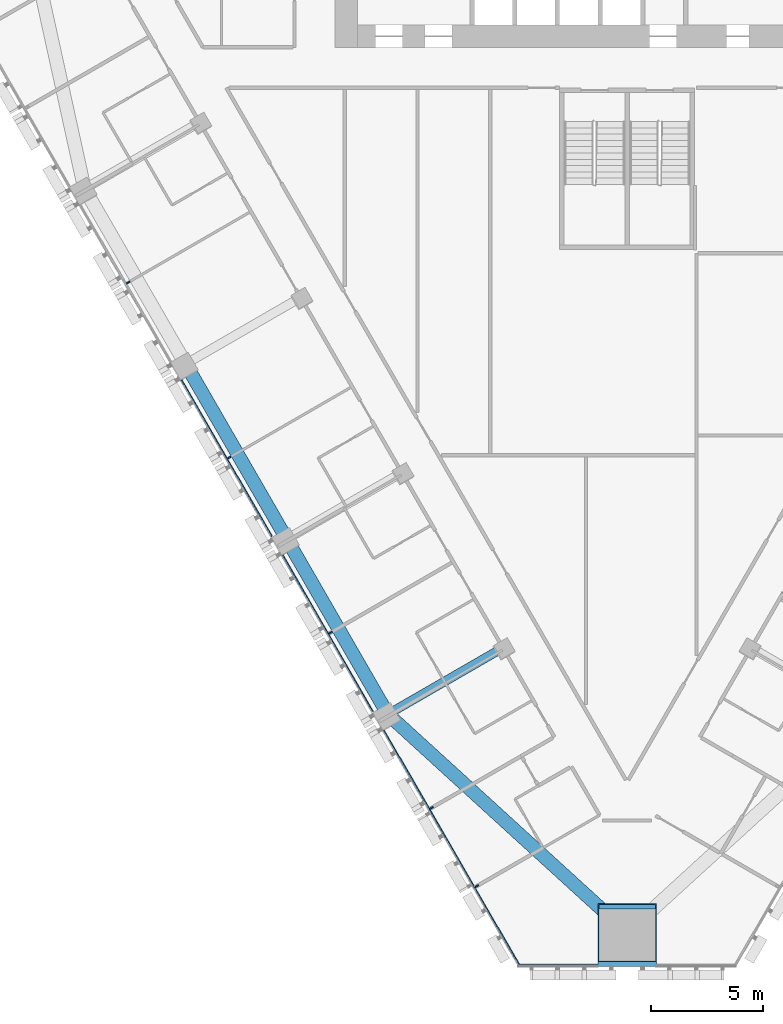
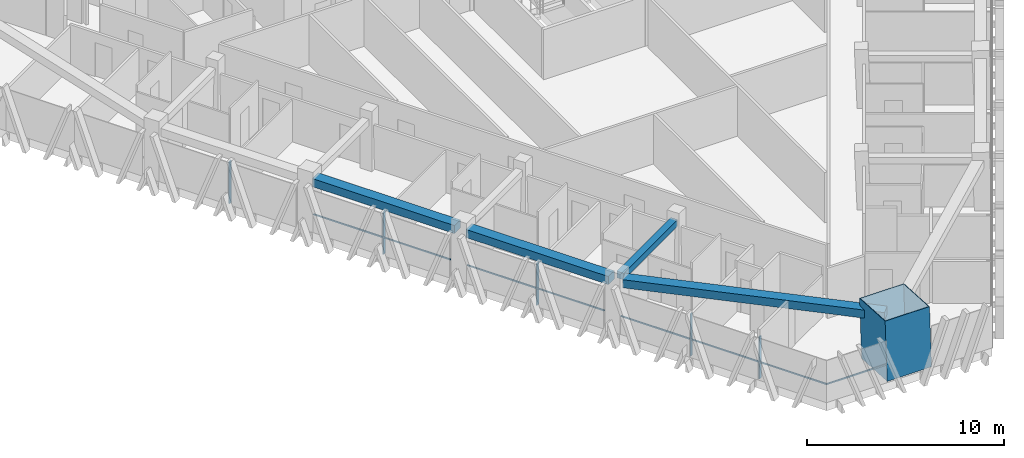
# One storey, part 2 of 18: 10 members, 4 beams, 2 elements without a shape of their own.
"""IFC4 building model written with IfcOpenShell, lengths in metres."""

from ifc_helpers import new_model, si_unit, direction, frame, origin, origin_2d, place, context, subcontext, project, spatial, rectangle, hollow_rectangle, extrude, material, layer, layer_set, material_profile, profile_set, type_object, element, aggregate, save


model = new_model("IFC4")

# Units and contexts
model_context = context("Model", 3, precision=1e-05, world=origin(), true_north=direction((0.0, 1.0)))
body_context = subcontext(model_context, "Body", "Model", "MODEL_VIEW")
ifc_project = project(units=[si_unit("LENGTHUNIT", "METRE"), si_unit("AREAUNIT", "SQUARE_METRE"), si_unit("VOLUMEUNIT", "CUBIC_METRE"), si_unit("PLANEANGLEUNIT", "RADIAN"), si_unit("MASSUNIT", "GRAM", prefix="KILO")], contexts=[model_context])

# Site, building, storey
site_placement = place(None, origin())
site = spatial("IfcSite", under=ifc_project, at=site_placement, CompositionType="ELEMENT")
building_placement = place(site_placement, origin())
building = spatial("IfcBuilding", under=site, at=building_placement, Name="Altiplano Prism Tower", CompositionType="ELEMENT")
storey_placement = place(building_placement, frame((0.0, 0.0, 41.39990234375)))
storey = spatial("IfcBuildingStorey", under=building, at=storey_placement, Name="L09", CompositionType="ELEMENT", Elevation=41.39990234375)

# Curtain wall, members
ifc_material_1 = material(Name="Aluminium and glass", Category="aluminium")
ifc_layer = layer(ifc_material_1, 0.280029296875)
ifc_layer_set = layer_set([ifc_layer], Name="Aluminium and glass")
curtain_wall_type = type_object("IfcCurtainWallType", Name="CW1 typical co-living unitised curtain wall", PredefinedType="NOTDEFINED", material=ifc_layer_set)
curtain_wall_1_placement = place(storey_placement, origin())
curtain_wall_1 = element("IfcCurtainWall", 1, at=curtain_wall_1_placement, inside=storey, type_object=curtain_wall_type, Name="CW1 curtain wall south-west face L09", PredefinedType="NOTDEFINED")
ifc_material_2 = material(Name="Aluminium", Category="aluminium")
ifc_material_profile_1 = material_profile(ifc_material_2, rectangle(XDim=0.179931640625, YDim=0.06494140625, at=origin_2d()), Name="CW1 mullion 65 x 180")
ifc_profile_set_1 = profile_set([ifc_material_profile_1], Name="Aluminium")
member_type_1 = type_object("IfcMemberType", Name="CW1 mullion 65 x 180", PredefinedType="MULLION", material=ifc_profile_set_1)
member_1_placement = place(storey_placement, frame((62.7978515625, 81.943359375, 0.0), z_axis=(0.0, 0.0, 1.0), x_axis=(0.866025403584, 0.500000000348, 0.0)))
member_1 = element("IfcMember", 2, at=member_1_placement, type_object=member_type_1, Name="CW1 mullion", PredefinedType="MULLION", context=body_context, shape_type="SweptSolid", body=[
    extrude(rectangle(XDim=0.179931640625, YDim=0.06494140625, at=origin_2d()), origin(), (0.0, 0.0, 1.0), 2.60009765625),
])
member_2_placement = place(storey_placement, frame((67.2978515625, 74.149169921875, 0.0), z_axis=(0.0, 0.0, 1.0), x_axis=(0.866025403584, 0.500000000348, 0.0)))
member_2 = element("IfcMember", 3, at=member_2_placement, type_object=member_type_1, Name="CW1 mullion", PredefinedType="MULLION", context=body_context, shape_type="SweptSolid", body=[
    extrude(rectangle(XDim=0.179931640625, YDim=0.06494140625, at=origin_2d()), origin(), (0.0, 0.0, 1.0), 2.60009765625),
])
member_3_placement = place(storey_placement, frame((71.7978515625, 66.35498046875, 0.0), z_axis=(0.0, 0.0, 1.0), x_axis=(0.866025403584, 0.500000000348, 0.0)))
member_3 = element("IfcMember", 4, at=member_3_placement, type_object=member_type_1, Name="CW1 mullion", PredefinedType="MULLION", context=body_context, shape_type="SweptSolid", body=[
    extrude(rectangle(XDim=0.179931640625, YDim=0.06494140625, at=origin_2d()), origin(), (0.0, 0.0, 1.0), 2.60009765625),
])
member_4_placement = place(storey_placement, frame((76.2978515625, 58.560791015625, 0.0), z_axis=(0.0, 0.0, 1.0), x_axis=(0.866025403584, 0.500000000348, 0.0)))
member_4 = element("IfcMember", 5, at=member_4_placement, type_object=member_type_1, Name="CW1 mullion", PredefinedType="MULLION", context=body_context, shape_type="SweptSolid", body=[
    extrude(rectangle(XDim=0.179931640625, YDim=0.06494140625, at=origin_2d()), origin(), (0.0, 0.0, 1.0), 2.60009765625),
])
member_5_placement = place(storey_placement, frame((78.30810546875, 55.078857421875, 0.0), z_axis=(0.0, 0.0, 1.0), x_axis=(0.866025403584, 0.500000000348, 0.0)))
member_5 = element("IfcMember", 6, at=member_5_placement, type_object=member_type_1, Name="CW1 mullion", PredefinedType="MULLION", context=body_context, shape_type="SweptSolid", body=[
    extrude(rectangle(XDim=0.179931640625, YDim=0.06494140625, at=origin_2d()), origin(), (0.0, 0.0, 1.0), 2.60009765625),
])
ifc_material_profile_2 = material_profile(ifc_material_2, rectangle(XDim=0.06005859375, YDim=0.080078125, at=origin_2d()), Name="CW1 transom 80 x 60")
ifc_profile_set_2 = profile_set([ifc_material_profile_2], Name="Aluminium")
member_type_2 = type_object("IfcMemberType", Name="CW1 transom 80 x 60", PredefinedType="USERDEFINED", material=ifc_profile_set_2)
member_6_placement = place(storey_placement, frame((65.16943359375, 77.595947265625, 1.10009765625), z_axis=(0.499989486807, -0.866031473494, 0.0), x_axis=(0.866031473494, 0.499989486807, 0.0)))
member_6 = element("IfcMember", 7, at=member_6_placement, type_object=member_type_2, Name="CW1 transom", ObjectType="TRANSOM", PredefinedType="USERDEFINED", context=body_context, shape_type="SweptSolid", body=[
    extrude(rectangle(XDim=0.06005859375, YDim=0.080078125, at=origin_2d()), origin(), (0.0, 0.0, 1.0), 8.019775390625),
])
member_7_placement = place(storey_placement, frame((69.66943359375, 69.8017578125, 1.10009765625), z_axis=(0.499989486807, -0.866031473494, 0.0), x_axis=(0.866031473494, 0.499989486807, 0.0)))
member_7 = element("IfcMember", 8, at=member_7_placement, type_object=member_type_2, Name="CW1 transom", ObjectType="TRANSOM", PredefinedType="USERDEFINED", context=body_context, shape_type="SweptSolid", body=[
    extrude(rectangle(XDim=0.06005859375, YDim=0.080078125, at=origin_2d()), origin(), (0.0, 0.0, 1.0), 8.019775390625),
])
member_8_placement = place(storey_placement, frame((74.16943359375, 62.007568359375, 1.10009765625), z_axis=(0.500002711008, -0.866023838577, 0.0), x_axis=(0.866023838577, 0.500002711008, 0.0)))
member_8 = element("IfcMember", 9, at=member_8_placement, type_object=member_type_2, Name="CW1 transom", ObjectType="TRANSOM", PredefinedType="USERDEFINED", context=body_context, shape_type="SweptSolid", body=[
    extrude(rectangle(XDim=0.06005859375, YDim=0.080078125, at=origin_2d()), origin(), (0.0, 0.0, 1.0), 12.09033203125),
])
aggregate(curtain_wall_1, [member_1, member_2, member_6, member_3, member_7, member_4, member_5, member_8])

# Curtain wall, member
curtain_wall_2_placement = place(storey_placement, origin())
curtain_wall_2 = element("IfcCurtainWall", 10, at=curtain_wall_2_placement, inside=storey, type_object=curtain_wall_type, Name="CW1 curtain wall south chamfer L09", PredefinedType="NOTDEFINED")
member_9_placement = place(storey_placement, frame((80.154052734375, 51.572021484375, 1.10009765625), z_axis=(1.0, 0.0, 0.0), x_axis=(0.0, 1.0, 0.0)))
member_9 = element("IfcMember", 11, at=member_9_placement, type_object=member_type_2, Name="CW1 transom", ObjectType="TRANSOM", PredefinedType="USERDEFINED", context=body_context, shape_type="SweptSolid", body=[
    extrude(rectangle(XDim=0.06005859375, YDim=0.080078125, at=origin_2d()), origin(), (0.0, 0.0, 1.0), 3.5458984375),
])
aggregate(curtain_wall_2, [member_9])

# Beams
ifc_material_3 = material(Name="Concrete C60/75", Category="concrete")
ifc_material_profile_3 = material_profile(ifc_material_3, rectangle(XDim=0.60009765625, YDim=0.5, at=origin_2d()), Name="Edge beam 600x500")
ifc_profile_set_3 = profile_set([ifc_material_profile_3], Name="Concrete C60/75")
beam_type_1 = type_object("IfcBeamType", Name="Edge beam 600x500", PredefinedType="SPANDREL", material=ifc_profile_set_3)
for number, where, z_axis, x_axis, name in (
    (12, (65.51806640625, 78.029052734375, 2.85009765625), (0.500014701701, -0.866016915587, 0.0), (0.866016915587, 0.500014701701, 0.0), "Edge beam P12-P13 L10"),
    (13, (70.01806640625, 70.23486328125, 2.85009765625), (0.500014701701, -0.866016915587, 0.0), (0.866016915587, 0.500014701701, 0.0), "Edge beam P13-P14 L10"),
):
    element("IfcBeam", number, at=place(storey_placement, frame(where, z_axis=z_axis, x_axis=x_axis)), inside=storey, type_object=beam_type_1, Name=name, PredefinedType="SPANDREL", context=body_context, shape_type="SweptSolid", body=[
        extrude(rectangle(XDim=0.60009765625, YDim=0.5, at=origin_2d()), origin(), (0.0, 0.0, 1.0), 8.340087890625),
    ])
beam_1_placement = place(storey_placement, frame((74.61328125, 62.489013671875, 2.85009765625), z_axis=(0.738726224028, -0.674005612686, 0.0), x_axis=(0.674005612686, 0.738726224028, 0.0)))
element("IfcBeam", 14, at=beam_1_placement, inside=storey, type_object=beam_type_1, Name="Edge beam P14-M1 L10", PredefinedType="SPANDREL", context=body_context, shape_type="SweptSolid", body=[
    extrude(rectangle(XDim=0.60009765625, YDim=0.5, at=origin_2d()), origin(), (0.0, 0.0, 1.0), 13.610107421875),
])

# Member
ifc_material_4 = material(Name="Steel S460", Category="steel")
ifc_material_profile_4 = material_profile(ifc_material_4, hollow_rectangle(XDim=2.60009765625, YDim=2.60009765625, WallThickness=0.0400390625, at=origin_2d()), Name="Mega column tube 2600")
ifc_profile_set_4 = profile_set([ifc_material_profile_4], Name="Steel S460")
member_type_3 = type_object("IfcMemberType", Name="Mega column tube 2600", PredefinedType="POST", material=ifc_profile_set_4)
member_10_placement = place(storey_placement, frame((85.0, 52.802001953125, 0.0), z_axis=(0.0, 0.058356907999, 0.998295783467), x_axis=(-1.0, 0.0, 0.0)))
element("IfcMember", 15, at=member_10_placement, inside=storey, type_object=member_type_3, Name="Mega column tube M1 L09", PredefinedType="POST", context=body_context, shape_type="SweptSolid", body=[
    extrude(hollow_rectangle(XDim=2.60009765625, YDim=2.60009765625, WallThickness=0.0400390625, at=origin_2d()), origin(), (0.0, 0.0, 1.0), 3.606201171875),
])

# Beam
ifc_material_profile_5 = material_profile(ifc_material_3, rectangle(XDim=0.39990234375, YDim=0.39990234375, at=origin_2d()), Name="Tie beam 400x400")
ifc_profile_set_5 = profile_set([ifc_material_profile_5], Name="Concrete C60/75")
beam_type_2 = type_object("IfcBeamType", Name="Tie beam 400x400", PredefinedType="BEAM", material=ifc_profile_set_5)
beam_2_placement = place(storey_placement, frame((79.393310546875, 65.636474609375, 2.900146484375), z_axis=(-0.866012292785, -0.50002270823, 0.0), x_axis=(0.50002270823, -0.866012292785, 0.0)))
element("IfcBeam", 16, at=beam_2_placement, inside=storey, type_object=beam_type_2, Name="Tie beam I14 L10", PredefinedType="BEAM", context=body_context, shape_type="SweptSolid", body=[
    extrude(rectangle(XDim=0.39990234375, YDim=0.39990234375, at=origin_2d()), origin(), (0.0, 0.0, 1.0), 5.489990234375),
])

save(model, "model.ifc")
